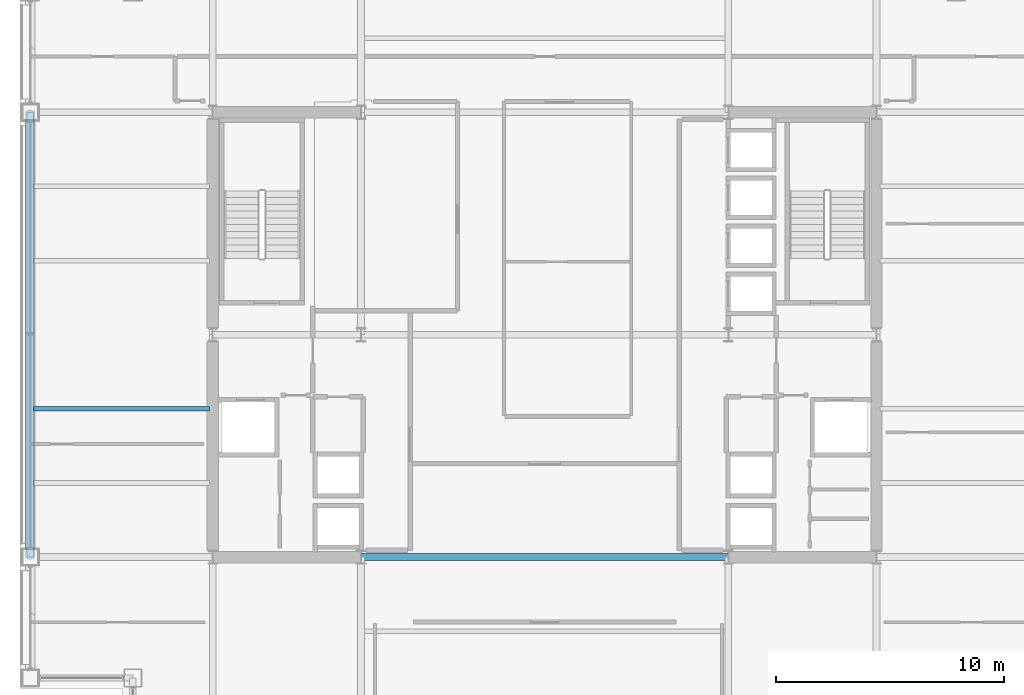
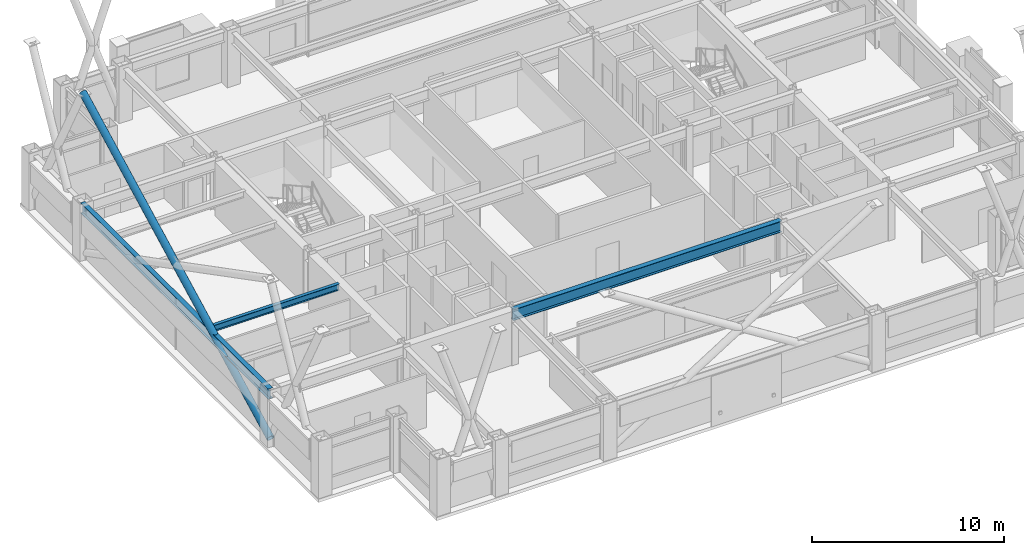
# One storey, part 8 of 35: 3 beams, 1 member.
"""IFC4 building model written with IfcOpenShell, lengths in metres."""

import ifcopenshell
import ifcopenshell.guid

model = None  # the IFC model being written
_history = None  # IfcOwnerHistory: only IFC2X3 demands one
_inside = {}  # id of a spatial element -> (the spatial element, [elements in it])
_under = {}  # id of a project, library or spatial element -> (it, [spatial elements below it])
_declared = {}  # id of a project -> (the project, [libraries it declares])
_typed = {}  # id of a type object -> (the type object, [elements of that type])
_made_of = {}  # id of a material, layer set ... -> (it, [elements and type objects made of it])


def new_model(schema):
    """Start an empty IFC model of exactly this schema.

    Asked for "IFC4X3", IfcOpenShell would pick the latest addendum, in which some entities
    have other attributes; the version numbers below select the first issue.
    IFC2X3 requires an IfcOwnerHistory on every rooted entity: one is made here for all.
    """
    global model, _history
    if schema == "IFC4X3":
        model = ifcopenshell.file(schema_version=(4, 3, 0, 0))
    else:
        model = ifcopenshell.file(schema=schema)
    _inside.clear()
    _under.clear()
    _declared.clear()
    _typed.clear()
    _made_of.clear()
    _history = None
    if model.schema == "IFC2X3":
        org = make("IfcOrganization", Name="unknown")
        user = make(
            "IfcPersonAndOrganization",
            ThePerson=make("IfcPerson", FamilyName="unknown"),
            TheOrganization=org,
        )
        app = make(
            "IfcApplication",
            ApplicationDeveloper=org,
            Version="unknown",
            ApplicationFullName="unknown",
            ApplicationIdentifier="unknown",
        )
        _history = make(
            "IfcOwnerHistory",
            OwningUser=user,
            OwningApplication=app,
            ChangeAction="ADDED",
            CreationDate=0,
        )
    return model


def make(cls, **values):
    """One entity of the class cls with the attributes given. An attribute that is None is left unset."""
    return model.create_entity(
        cls, **{name: value for name, value in values.items() if value is not None}
    )


def rooted(cls, **values):
    """An entity with a GlobalId (a new one), such as an element, a storey or a relation."""
    return make(cls, GlobalId=ifcopenshell.guid.new(), OwnerHistory=_history, **values)


def si_unit(unit_type, name, prefix=None):
    """IfcSIUnit, for example si_unit("LENGTHUNIT", "METRE", prefix="MILLI")."""
    return make("IfcSIUnit", UnitType=unit_type, Prefix=prefix, Name=name)


def assignment(units):
    """IfcUnitAssignment: the units of a project."""
    return None if units is None else make("IfcUnitAssignment", Units=units)


def point(xyz):
    """IfcCartesianPoint."""
    return None if xyz is None else make("IfcCartesianPoint", Coordinates=xyz)


def direction(xyz):
    """IfcDirection."""
    return None if xyz is None else make("IfcDirection", DirectionRatios=xyz)


def frame(location, z_axis=None, x_axis=None):
    """IfcAxis2Placement3D, a coordinate frame: its origin and axes. An axis left out is left unset."""
    return make(
        "IfcAxis2Placement3D",
        Location=point(location),
        Axis=direction(z_axis),
        RefDirection=direction(x_axis),
    )


def frame_2d(location, x_axis=None):
    """IfcAxis2Placement2D, a coordinate frame in the plane: its origin and x axis."""
    return make(
        "IfcAxis2Placement2D", Location=point(location), RefDirection=direction(x_axis)
    )


def origin():
    """The frame at (0, 0, 0) with its axes left unset."""
    return frame((0.0, 0.0, 0.0))


def origin_2d():
    """The frame at (0, 0) in the plane with its x axis left unset."""
    return frame_2d((0.0, 0.0))


def place(relative_to, where):
    """IfcLocalPlacement: puts the frame where relative to a parent placement (None: the world)."""
    return make(
        "IfcLocalPlacement", PlacementRelTo=relative_to, RelativePlacement=where
    )


def context(
    kind, dimensions, precision=None, world=None, true_north=None, identifier=None
):
    """IfcGeometricRepresentationContext, for example the 3D "Model" context."""
    return make(
        "IfcGeometricRepresentationContext",
        ContextIdentifier=identifier,
        ContextType=kind,
        CoordinateSpaceDimension=dimensions,
        Precision=precision,
        WorldCoordinateSystem=world,
        TrueNorth=true_north,
    )


def subcontext(parent, identifier, kind, view, scale=None):
    """IfcGeometricRepresentationSubContext, for example "Body" below "Model"."""
    return make(
        "IfcGeometricRepresentationSubContext",
        ContextIdentifier=identifier,
        ContextType=kind,
        ParentContext=parent,
        TargetScale=scale,
        TargetView=view,
    )


def project(units=None, contexts=None):
    """IfcProject with its units and contexts."""
    return rooted(
        "IfcProject",
        Name="project",
        RepresentationContexts=contexts,
        UnitsInContext=assignment(units),
    )


def spatial(cls, under=None, at=None, **own):
    """A site, building, storey or space (cls), placed at a placement, below another one or the project."""
    s = rooted(cls, ObjectPlacement=at, **own)
    if under is not None:
        _under.setdefault(under.id(), (under, []))[1].append(s)
    return s


def profile(cls, at=None, kind="AREA", **sizes):
    """A parametric profile (cls). Its sizes go by their IFC names, for example OverallWidth=200.0."""
    return make(cls, ProfileType=kind, Position=at, **sizes)


def hollow_circle(**sizes):
    """IfcCircleHollowProfileDef."""
    return profile("IfcCircleHollowProfileDef", **sizes)


def i_section(**sizes):
    """IfcIShapeProfileDef."""
    return profile("IfcIShapeProfileDef", **sizes)


def extrude(swept, where, along, depth):
    """IfcExtrudedAreaSolid: the profile swept, set in the frame where, extruded along a direction by depth."""
    return make(
        "IfcExtrudedAreaSolid",
        SweptArea=swept,
        Position=where,
        ExtrudedDirection=direction(along),
        Depth=depth,
    )


def shape(context_of_items, identifier, shape_type, items):
    """IfcShapeRepresentation: the items that make up one representation, for example the "Body"."""
    return make(
        "IfcShapeRepresentation",
        ContextOfItems=context_of_items,
        RepresentationIdentifier=identifier,
        RepresentationType=shape_type,
        Items=items,
    )


def material(Name=None, Category=None):
    """IfcMaterial."""
    return make("IfcMaterial", Name=Name, Category=Category)


def material_profile(
    of_material, cross_section, Name=None, Category=None, Priority=None
):
    """IfcMaterialProfile: a cross section and its material."""
    return make(
        "IfcMaterialProfile",
        Name=Name,
        Material=of_material,
        Profile=cross_section,
        Priority=Priority,
        Category=Category,
    )


def profile_set(profiles, Name=None, composite=None):
    """IfcMaterialProfileSet."""
    return make(
        "IfcMaterialProfileSet",
        Name=Name,
        MaterialProfiles=profiles,
        CompositeProfile=composite,
    )


def made_of(thing, what):
    """Note that an element or type object is made of a material, layer set ...; save() writes the relation."""
    if what is not None:
        _made_of.setdefault(what.id(), (what, []))[1].append(thing)
    return thing


def type_object(cls, material=None, **own):
    """A type object (cls), such as IfcWallType, which elements share."""
    return made_of(rooted(cls, **own), material)


def element(
    cls,
    number,
    at=None,
    inside=None,
    cuts=None,
    type_object=None,
    material=None,
    context=None,
    identifier="Body",
    shape_type=None,
    held_by="IfcProductDefinitionShape",
    body=None,
    shapes=None,
    **own,
):
    """One element of the class cls, such as IfcWall. Its Tag is "e" and its number.

    at: its placement. inside: the storey or other place that contains it. cuts: it is an
    opening in that element (IfcRelVoidsElement). A single representation is given by context,
    identifier, shape_type and body (its items); several are given by shapes. held_by: the class
    of the entity that holds the representations. save() writes the other relations.
    """
    e = rooted(cls, Tag="e%d" % number, ObjectPlacement=at, **own)
    if body is not None:
        shapes = [shape(context, identifier, shape_type, body)]
    if shapes is not None:
        e.Representation = make(held_by, Representations=shapes)
    if inside is not None:
        _inside.setdefault(inside.id(), (inside, []))[1].append(e)
    if cuts is not None:
        rooted(
            "IfcRelVoidsElement", RelatingBuildingElement=cuts, RelatedOpeningElement=e
        )
    if type_object is not None:
        _typed.setdefault(type_object.id(), (type_object, []))[1].append(e)
    return made_of(e, material)


def aggregate(whole, parts):
    """IfcRelAggregates: a whole, such as a stair, and the parts it consists of."""
    return rooted("IfcRelAggregates", RelatingObject=whole, RelatedObjects=parts)


def save(model, path):
    """Write the relations noted so far, then the file.

    IfcRelAggregates (storeys below a building ...), IfcRelContainedInSpatialStructure (elements
    in a storey), IfcRelDefinesByType, IfcRelAssociatesMaterial and IfcRelDeclares: one each for
    every whole, place, type object, material and project.
    """
    for whole, parts in _under.values():
        aggregate(whole, parts)
    for where, things in _inside.values():
        rooted(
            "IfcRelContainedInSpatialStructure",
            RelatedElements=things,
            RelatingStructure=where,
        )
    for kind, things in _typed.values():
        rooted("IfcRelDefinesByType", RelatedObjects=things, RelatingType=kind)
    for what, things in _made_of.values():
        rooted("IfcRelAssociatesMaterial", RelatedObjects=things, RelatingMaterial=what)
    for by, libraries in _declared.values():
        rooted("IfcRelDeclares", RelatingContext=by, RelatedDefinitions=libraries)
    model.write(path)


model = new_model("IFC4")

# Units and contexts
model_context = context("Model", 3, precision=1e-05, world=origin(), true_north=direction((0.0, 1.0)))
body_context = subcontext(model_context, "Body", "Model", "MODEL_VIEW")
ifc_project = project(units=[si_unit("LENGTHUNIT", "METRE"), si_unit("AREAUNIT", "SQUARE_METRE"), si_unit("VOLUMEUNIT", "CUBIC_METRE"), si_unit("PLANEANGLEUNIT", "RADIAN"), si_unit("MASSUNIT", "GRAM", prefix="KILO")], contexts=[model_context])

# Site, building, storey
site_placement = place(None, origin())
site = spatial("IfcSite", under=ifc_project, at=site_placement, CompositionType="ELEMENT")
building_placement = place(site_placement, origin())
building = spatial("IfcBuilding", under=site, at=building_placement, Name="Brelmoor Portico Tower", CompositionType="ELEMENT")
storey_placement = place(building_placement, frame((0.0, 0.0, 131.39990234375)))
storey = spatial("IfcBuildingStorey", under=building, at=storey_placement, Name="L34", CompositionType="ELEMENT", Elevation=131.39990234375)

# Beams
ifc_material = material(Name="Steel Q355B", Category="steel")
ifc_material_profile_1 = material_profile(ifc_material, i_section(OverallWidth=0.199951171875, OverallDepth=0.39990234375, WebThickness=0.008056640625, FlangeThickness=0.012939453125, at=origin_2d()), Name="HN 400x200x8x13")
ifc_profile_set_1 = profile_set([ifc_material_profile_1], Name="Steel Q355B")
beam_type_1 = type_object("IfcBeamType", Name="BM-JS-400", PredefinedType="JOIST", material=ifc_profile_set_1)
beam_1_placement = place(storey_placement, frame((-22.409912109375, -3.25, 3.2001953125), z_axis=(1.0, 0.0, 0.0), x_axis=(0.0, 1.0, 0.0)))
element("IfcBeam", 1, at=beam_1_placement, inside=storey, type_object=beam_type_1, Name="L34 Secondary Wing Joist JS-W06", PredefinedType="JOIST", context=body_context, shape_type="SweptSolid", body=[
    extrude(i_section(OverallWidth=0.199951171875, OverallDepth=0.39990234375, WebThickness=0.008056640625, FlangeThickness=0.012939453125, at=origin_2d()), origin(), (0.0, 0.0, 1.0), 7.7099609375),
])
ifc_material_profile_2 = material_profile(ifc_material, i_section(OverallWidth=0.300048828125, OverallDepth=0.699951171875, WebThickness=0.012939453125, FlangeThickness=0.02392578125, at=origin_2d()), Name="HN 700x300x13x24")
ifc_profile_set_2 = profile_set([ifc_material_profile_2], Name="Steel Q355B")
beam_type_2 = type_object("IfcBeamType", Name="BM-PG-700", PredefinedType="BEAM", material=ifc_profile_set_2)
beam_2_placement = place(storey_placement, frame((-8.050048828125, -9.75, 3.050048828125), z_axis=(1.0, 0.0, 0.0), x_axis=(0.0, 1.0, 0.0)))
element("IfcBeam", 2, at=beam_2_placement, inside=storey, type_object=beam_type_2, Name="L34 Primary Floor Girder PG-16", PredefinedType="BEAM", context=body_context, shape_type="SweptSolid", body=[
    extrude(i_section(OverallWidth=0.300048828125, OverallDepth=0.699951171875, WebThickness=0.012939453125, FlangeThickness=0.02392578125, at=origin_2d()), origin(), (0.0, 0.0, 1.0), 16.10009765625),
])
ifc_material_profile_3 = material_profile(ifc_material, i_section(OverallWidth=0.280029296875, OverallDepth=0.64990234375, WebThickness=0.012939453125, FlangeThickness=0.02197265625, at=origin_2d()), Name="HN 650x280x13x22")
ifc_profile_set_3 = profile_set([ifc_material_profile_3], Name="Steel Q355B")
beam_type_3 = type_object("IfcBeamType", Name="BM-SP-650", PredefinedType="SPANDREL", material=ifc_profile_set_3)
beam_3_placement = place(storey_placement, frame((-22.550048828125, -9.75, 3.0751953125), z_axis=(0.0, 1.0, 0.0), x_axis=(-1.0, 0.0, 0.0)))
element("IfcBeam", 3, at=beam_3_placement, inside=storey, type_object=beam_type_3, Name="L34 Perimeter Spandrel Beam SP-16", PredefinedType="SPANDREL", context=body_context, shape_type="SweptSolid", body=[
    extrude(i_section(OverallWidth=0.280029296875, OverallDepth=0.64990234375, WebThickness=0.012939453125, FlangeThickness=0.02197265625, at=origin_2d()), origin(), (0.0, 0.0, 1.0), 19.5),
])

# Member
ifc_material_profile_4 = material_profile(ifc_material, hollow_circle(Radius=0.212890625, WallThickness=0.02001953125, at=origin_2d()), Name="CHS 426x20")
ifc_profile_set_4 = profile_set([ifc_material_profile_4], Name="Steel Q355B")
member_type = type_object("IfcMemberType", Name="MB-BELT-DIAG1", PredefinedType="BRACE", material=ifc_profile_set_4)
member_placement = place(storey_placement, frame((-22.550048828125, -9.75, 0.25), z_axis=(0.0, 0.887959386012, 0.459921872488), x_axis=(-1.0, 0.0, 0.0)))
element("IfcMember", 4, at=member_placement, inside=storey, type_object=member_type, Name="L34 Continuous Mega-X Brace 080A", PredefinedType="BRACE", context=body_context, shape_type="SweptSolid", body=[
    extrude(hollow_circle(Radius=0.212890625, WallThickness=0.02001953125, at=origin_2d()), origin(), (0.0, 0.0, 1.0), 21.96044921875),
])

save(model, "model.ifc")
